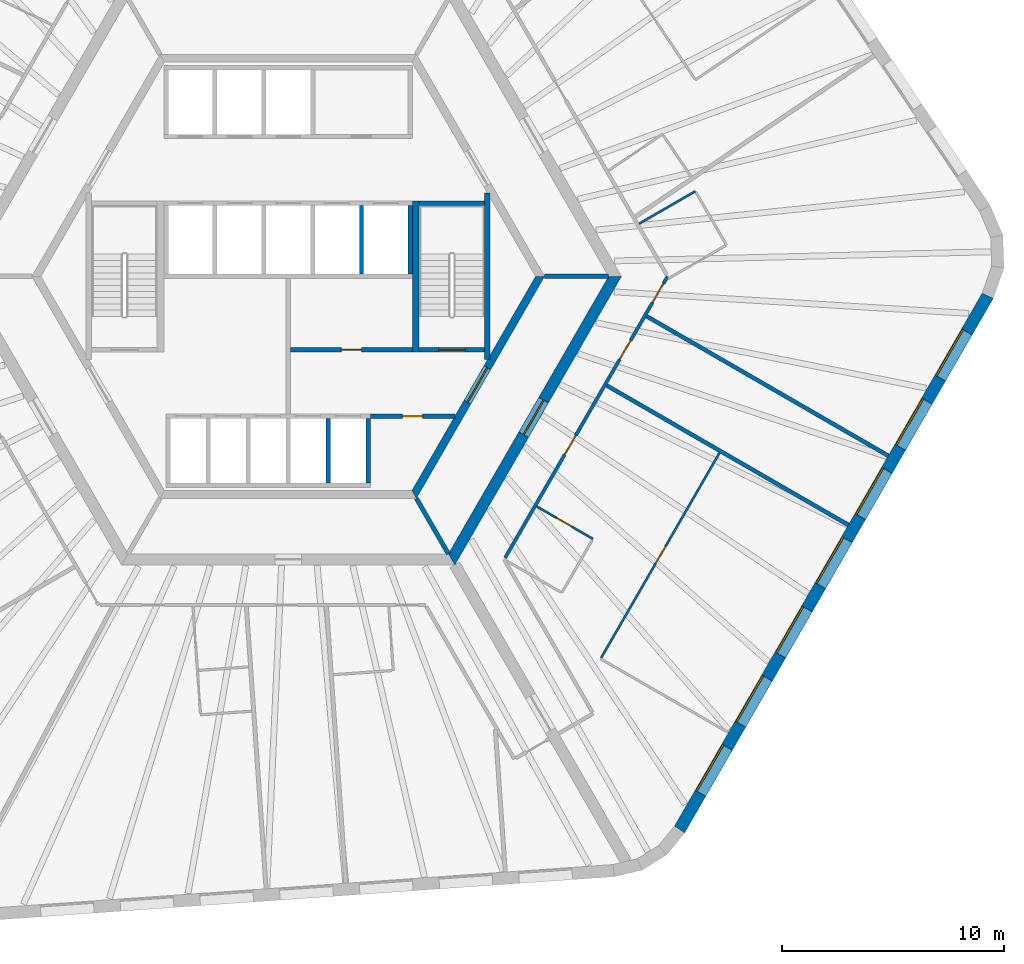
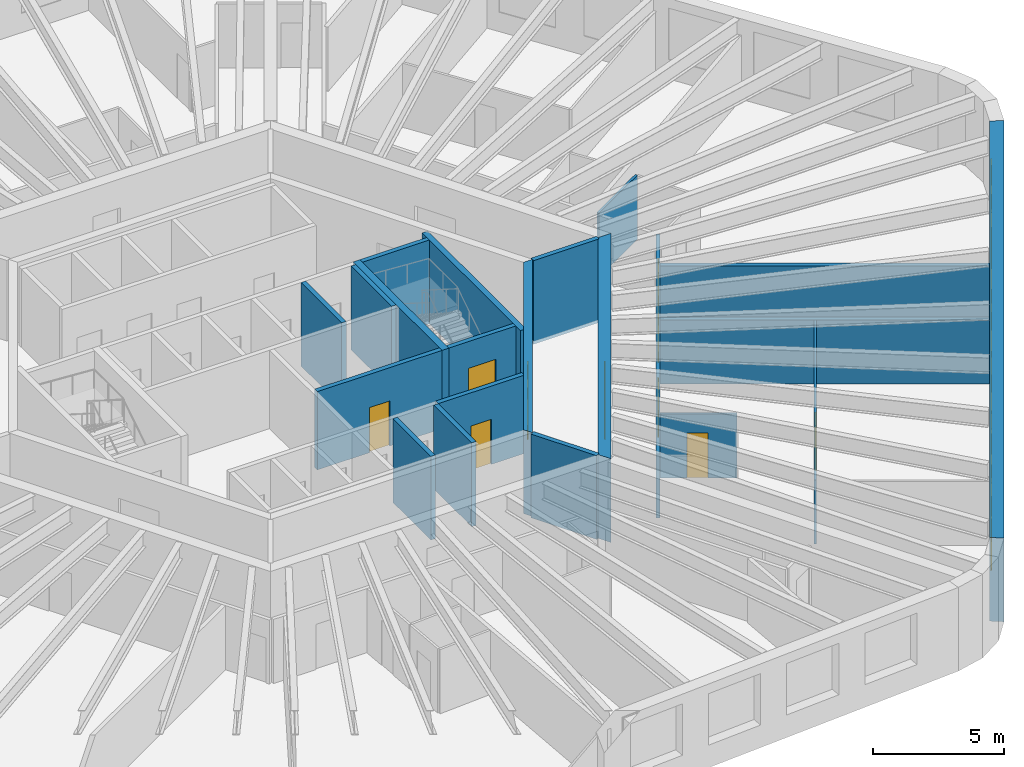
# One storey, part 5 of 9: 21 walls, 10 doors, 7 windows, 17 openings.
"""IFC4 building model written with IfcOpenShell, lengths in metres."""

from ifc_helpers import new_model, si_unit, direction, frame, frame_2d, origin, place, context, subcontext, project, spatial, polyline, rectangle, outline, extrude, material, layer, layer_set, type_object, element, fill, save


model = new_model("IFC4")

# Units and contexts
model_context = context("Model", 3, precision=1e-05, world=origin(), true_north=direction((0.0, 1.0)))
body_context = subcontext(model_context, "Body", "Model", "MODEL_VIEW")
ifc_project = project(units=[si_unit("LENGTHUNIT", "METRE"), si_unit("AREAUNIT", "SQUARE_METRE"), si_unit("VOLUMEUNIT", "CUBIC_METRE"), si_unit("PLANEANGLEUNIT", "RADIAN"), si_unit("MASSUNIT", "GRAM", prefix="KILO")], contexts=[model_context])

# Site, building, storey
site_placement = place(None, origin())
site = spatial("IfcSite", under=ifc_project, at=site_placement, CompositionType="ELEMENT")
building_placement = place(site_placement, origin())
building = spatial("IfcBuilding", under=site, at=building_placement, Name="Tarnside Tower", CompositionType="ELEMENT")
storey_placement = place(building_placement, frame((0.0, 0.0, 219.0)))
storey = spatial("IfcBuildingStorey", under=building, at=storey_placement, Name="L52", CompositionType="ELEMENT", Elevation=219.0)

# Wall, opening, door
ifc_material_1 = material(Name="Gypsum board partition on steel studs", Category="steel")
ifc_layer_1 = layer(ifc_material_1, 0.10009765625)
ifc_layer_set_1 = layer_set([ifc_layer_1], Name="Bathroom wall 100")
wall_type_1 = type_object("IfcWallType", Name="Bathroom wall 100", PredefinedType="PARTITIONING", material=ifc_layer_set_1)
wall_1_placement = place(storey_placement, frame((11.193359375, -10.362548828125, 0.0), z_axis=(0.0, 0.0, 1.0), x_axis=(0.865989585315, -0.500062034277, 0.0)))
wall_1 = element("IfcWall", 1, at=wall_1_placement, inside=storey, type_object=wall_type_1, Name="Bathroom wall 17081", PredefinedType="PARTITIONING", context=body_context, shape_type="SweptSolid", body=[
    extrude(rectangle(XDim=2.925048828125, YDim=0.10009765625, at=frame_2d((1.46240234375, 0.0))), origin(), (0.0, 0.0, 1.0), 2.98779296875),
])
opening_1_placement = place(wall_1_placement, frame((1.02490234375, 0.0, 0.0)))
opening_1 = element("IfcOpeningElement", 2, at=opening_1_placement, cuts=wall_1, Name="Opening D-B1", PredefinedType="OPENING", context=body_context, shape_type="SweptSolid", body=[
    extrude(rectangle(XDim=0.800048828125, YDim=2.10009765625, at=frame_2d((0.39990234375, 1.050048828125))), frame((0.0, 0.06005859375, 0.0), z_axis=(0.0, -1.0, 0.0), x_axis=(1.0, 0.0, 0.0)), (0.0, 0.0, 1.0), 0.1201171875),
])
ifc_material_2 = material(Name="Timber door leaf", Category="wood")
door_type_1 = type_object("IfcDoorType", Name="Bathroom door 800", OperationType="NOTDEFINED", PredefinedType="DOOR", material=ifc_material_2)
door_1_placement = place(opening_1_placement, origin())
door_1 = element("IfcDoor", 3, at=door_1_placement, inside=storey, type_object=door_type_1, Name="Bathroom door 17024", OperationType="SINGLE_SWING_RIGHT", OverallHeight=2.10009765625, OverallWidth=0.800048828125, PredefinedType="DOOR", context=body_context, shape_type="SweptSolid", body=[
    extrude(rectangle(XDim=0.800048828125, YDim=2.10009765625, at=frame_2d((0.39990234375, 1.050048828125))), frame((0.0, 0.02490234375, 0.0), z_axis=(0.0, -1.0, 0.0), x_axis=(1.0, 0.0, 0.0)), (0.0, 0.0, 1.0), 0.050048828125),
])
fill(opening_1, door_1)

# Wall
wall_2_placement = place(storey_placement, frame((15.806640625, 2.3720703125, 0.0), z_axis=(0.0, 0.0, 1.0), x_axis=(0.86601045545, 0.500025890382, 0.0)))
element("IfcWall", 4, at=wall_2_placement, inside=storey, type_object=wall_type_1, Name="Bathroom wall 17089", PredefinedType="PARTITIONING", context=body_context, shape_type="SweptSolid", body=[
    extrude(rectangle(XDim=2.925048828125, YDim=0.10009765625, at=frame_2d((1.46240234375, 0.0))), origin(), (0.0, 0.0, 1.0), 2.98779296875),
])

# Wall, opening, door
ifc_material_3 = material(Name="Concrete C50/60", Category="concrete")
ifc_layer_2 = layer(ifc_material_3, 0.35009765625)
ifc_layer_set_2 = layer_set([ifc_layer_2], Name="Core block wall 350 C50/60")
wall_type_2 = type_object("IfcWallType", Name="Core block wall 350 C50/60", PredefinedType="SHEAR", material=ifc_layer_set_2)
wall_3_placement = place(storey_placement, frame((5.672607421875, -9.824951171875, -0.14990234375), z_axis=(0.0, 0.0, 1.0), x_axis=(0.499995046907, 0.866028263435, 0.0)))
wall_3 = element("IfcWall", 5, at=wall_3_placement, inside=storey, type_object=wall_type_2, Name="L52 core block wall face 5", PredefinedType="SHEAR", context=body_context, shape_type="SweptSolid", body=[
    extrude(outline(polyline([(-0.10107421875, -0.175048828125), (11.44580078125, -0.175048828125), (11.24365234375, 0.175048828125), (0.10107421875, 0.175048828125), (-0.10107421875, -0.175048828125)])), origin(), (0.0, 0.0, 1.0), 3.89990234375),
])
opening_2_placement = place(wall_3_placement, frame((4.80126953125, 0.0, 0.14990234375)))
opening_2 = element("IfcOpeningElement", 6, at=opening_2_placement, cuts=wall_3, Name="Opening CD-FFL", PredefinedType="OPENING", context=body_context, shape_type="SweptSolid", body=[
    extrude(rectangle(XDim=1.800048828125, YDim=2.39990234375, at=frame_2d((0.89990234375, 1.199951171875))), frame((0.0, 0.18505859375, 0.0), z_axis=(0.0, -1.0, 0.0), x_axis=(1.0, 0.0, 0.0)), (0.0, 0.0, 1.0), 0.3701171875),
])
ifc_material_4 = material(Name="Steel fire door", Category="steel")
door_type_2 = type_object("IfcDoorType", Name="Firefighting lobby double door FD60S 1800x2400", OperationType="NOTDEFINED", PredefinedType="DOOR", material=ifc_material_4)
door_2_placement = place(opening_2_placement, origin())
door_2 = element("IfcDoor", 7, at=door_2_placement, inside=storey, type_object=door_type_2, Name="L52 lobby block door P4", OperationType="DOUBLE_DOOR_SINGLE_SWING", OverallHeight=2.39990234375, OverallWidth=1.800048828125, PredefinedType="DOOR", context=body_context, shape_type="SweptSolid", body=[
    extrude(rectangle(XDim=1.800048828125, YDim=2.39990234375, at=frame_2d((0.89990234375, 1.199951171875))), frame((0.0, 0.02490234375, 0.0), z_axis=(0.0, -1.0, 0.0), x_axis=(1.0, 0.0, 0.0)), (0.0, 0.0, 1.0), 0.050048828125),
])
fill(opening_2, door_2)

ifc_material_5 = material(Name="Concrete C40/50", Category="concrete")
ifc_layer_3 = layer(ifc_material_5, 0.199951171875)
ifc_layer_set_3 = layer_set([ifc_layer_3], Name="Core room partition 200 C40/50")
wall_type_3 = type_object("IfcWallType", Name="Core room partition 200 C40/50", PredefinedType="PARTITIONING", material=ifc_layer_set_3)
wall_4_placement = place(storey_placement, frame((0.10009765625, -3.300048828125, 0.0), z_axis=(0.0, 0.0, 1.0), x_axis=(1.0, 0.0, 0.0)))
wall_4 = element("IfcWall", 8, at=wall_4_placement, inside=storey, type_object=wall_type_3, Name="L52 core partition R3S1", PredefinedType="PARTITIONING", context=body_context, shape_type="SweptSolid", body=[
    extrude(rectangle(XDim=5.5, YDim=0.199951171875, at=frame_2d((2.75, 0.0))), origin(), (0.0, 0.0, 1.0), 3.64990234375),
])
opening_3_placement = place(wall_4_placement, frame((2.300048828125, 0.0, 0.0)))
opening_3 = element("IfcOpeningElement", 9, at=opening_3_placement, cuts=wall_4, Name="Opening CD-room", PredefinedType="OPENING", context=body_context, shape_type="SweptSolid", body=[
    extrude(rectangle(XDim=0.89990234375, YDim=2.10009765625, at=frame_2d((0.449951171875, 1.050048828125))), frame((0.0, 0.10986328125, 0.0), z_axis=(0.0, -1.0, 0.0), x_axis=(1.0, 0.0, 0.0)), (0.0, 0.0, 1.0), 0.219970703125),
])
door_type_3 = type_object("IfcDoorType", Name="Room door FD60 900x2100", OperationType="NOTDEFINED", PredefinedType="DOOR", material=ifc_material_4)
door_3_placement = place(opening_3_placement, origin())
door_3 = element("IfcDoor", 10, at=door_3_placement, inside=storey, type_object=door_type_3, Name="L52 core room door SR1", OperationType="SINGLE_SWING_LEFT", OverallHeight=2.10009765625, OverallWidth=0.89990234375, PredefinedType="DOOR", context=body_context, shape_type="SweptSolid", body=[
    extrude(rectangle(XDim=0.89990234375, YDim=2.10009765625, at=frame_2d((0.449951171875, 1.050048828125))), frame((0.0, 0.02490234375, 0.0), z_axis=(0.0, -1.0, 0.0), x_axis=(1.0, 0.0, 0.0)), (0.0, 0.0, 1.0), 0.050048828125),
])
fill(opening_3, door_3)

wall_5_placement = place(storey_placement, frame((3.699951171875, -6.300048828125, 0.0), z_axis=(0.0, 0.0, 1.0), x_axis=(1.0, 0.0, 0.0)))
wall_5 = element("IfcWall", 11, at=wall_5_placement, inside=storey, type_object=wall_type_3, Name="L52 core partition R4X", PredefinedType="PARTITIONING", context=body_context, shape_type="SweptSolid", body=[
    extrude(rectangle(XDim=3.8056640625, YDim=0.199951171875, at=frame_2d((1.90283203125, 0.0))), origin(), (0.0, 0.0, 1.0), 3.64990234375),
])
opening_4_placement = place(wall_5_placement, frame((1.452880859375, 0.0, 0.0)))
opening_4 = element("IfcOpeningElement", 12, at=opening_4_placement, cuts=wall_5, Name="Opening CD-room", PredefinedType="OPENING", context=body_context, shape_type="SweptSolid", body=[
    extrude(rectangle(XDim=0.89990234375, YDim=2.10009765625, at=frame_2d((0.449951171875, 1.050048828125))), frame((0.0, 0.10986328125, 0.0), z_axis=(0.0, -1.0, 0.0), x_axis=(1.0, 0.0, 0.0)), (0.0, 0.0, 1.0), 0.219970703125),
])
door_4_placement = place(opening_4_placement, origin())
door_4 = element("IfcDoor", 13, at=door_4_placement, inside=storey, type_object=door_type_3, Name="L52 core room door RX", OperationType="SINGLE_SWING_LEFT", OverallHeight=2.10009765625, OverallWidth=0.89990234375, PredefinedType="DOOR", context=body_context, shape_type="SweptSolid", body=[
    extrude(rectangle(XDim=0.89990234375, YDim=2.10009765625, at=frame_2d((0.449951171875, 1.050048828125))), frame((0.0, 0.02490234375, 0.0), z_axis=(0.0, -1.0, 0.0), x_axis=(1.0, 0.0, 0.0)), (0.0, 0.0, 1.0), 0.050048828125),
])
fill(opening_4, door_4)

ifc_material_6 = material(Name="Concrete C70/85", Category="concrete")
ifc_layer_4 = layer(ifc_material_6, 0.5)
ifc_layer_set_4 = layer_set([ifc_layer_4], Name="Core wall Z2 500 C70/85")
wall_type_4 = type_object("IfcWallType", Name="Core wall Z2 500 C70/85", PredefinedType="SHEAR", material=ifc_layer_set_4)
wall_6_placement = place(storey_placement, frame((7.361083984375, -12.75, -0.14990234375), z_axis=(0.0, 0.0, 1.0), x_axis=(0.50000571537, 0.866022103989, 0.0)))
wall_6 = element("IfcWall", 14, at=wall_6_placement, inside=storey, type_object=wall_type_4, Name="L52 core wall face 5", PredefinedType="SHEAR", context=body_context, shape_type="SweptSolid", body=[
    extrude(outline(polyline([(-0.144287109375, -0.25), (14.86669921875, -0.25), (14.578125, 0.25), (0.144287109375, 0.25), (-0.144287109375, -0.25)])), origin(), (0.0, 0.0, 1.0), 3.89990234375),
])
opening_5_placement = place(wall_6_placement, frame((6.489990234375, 0.0, 0.14990234375)))
opening_5 = element("IfcOpeningElement", 15, at=opening_5_placement, cuts=wall_6, Name="Opening CD-FFL", PredefinedType="OPENING", context=body_context, shape_type="SweptSolid", body=[
    extrude(rectangle(XDim=1.800048828125, YDim=2.39990234375, at=frame_2d((0.89990234375, 1.199951171875))), frame((0.0, 0.260009765625, 0.0), z_axis=(0.0, -1.0, 0.0), x_axis=(1.0, 0.0, 0.0)), (0.0, 0.0, 1.0), 0.52001953125),
])
door_5_placement = place(opening_5_placement, origin())
door_5 = element("IfcDoor", 16, at=door_5_placement, inside=storey, type_object=door_type_2, Name="L52 core door P4", OperationType="DOUBLE_DOOR_SINGLE_SWING", OverallHeight=2.39990234375, OverallWidth=1.800048828125, PredefinedType="DOOR", context=body_context, shape_type="SweptSolid", body=[
    extrude(rectangle(XDim=1.800048828125, YDim=2.39990234375, at=frame_2d((0.89990234375, 1.199951171875))), frame((0.0, 0.02490234375, 0.0), z_axis=(0.0, -1.0, 0.0), x_axis=(1.0, 0.0, 0.0)), (0.0, 0.0, 1.0), 0.050048828125),
])
fill(opening_5, door_5)

# Wall, openings, doors
ifc_layer_5 = layer(ifc_material_1, 0.14990234375)
ifc_layer_set_5 = layer_set([ifc_layer_5], Name="Corridor wall 150 EI 60")
wall_type_5 = type_object("IfcWallType", Name="Corridor wall 150 EI 60", PredefinedType="PARTITIONING", material=ifc_layer_set_5)
wall_7_placement = place(storey_placement, frame((9.771728515625, -12.675048828125, 0.0), z_axis=(0.0, 0.0, 1.0), x_axis=(0.499996322767, 0.866027526826, 0.0)))
wall_7 = element("IfcWall", 17, at=wall_7_placement, inside=storey, type_object=wall_type_5, Name="Corridor wall 17033", PredefinedType="PARTITIONING", context=body_context, shape_type="SweptSolid", body=[
    extrude(rectangle(XDim=14.6357421875, YDim=0.14990234375, at=frame_2d((7.31787109375, 0.0))), origin(), (0.0, 0.0, 1.0), 2.98779296875),
])
opening_6_placement = place(wall_7_placement, frame((5.361083984375, 0.0, 0.0)))
opening_6 = element("IfcOpeningElement", 18, at=opening_6_placement, cuts=wall_7, Name="Opening D-E1", PredefinedType="OPENING", context=body_context, shape_type="SweptSolid", body=[
    extrude(rectangle(XDim=1.0, YDim=2.10009765625, at=frame_2d((0.5, 1.050048828125))), frame((0.0, 0.0849609375, 0.0), z_axis=(0.0, -1.0, 0.0), x_axis=(1.0, 0.0, 0.0)), (0.0, 0.0, 1.0), 0.169921875),
])
opening_7_placement = place(wall_7_placement, frame((10.308837890625, 0.0, 0.0)))
opening_7 = element("IfcOpeningElement", 19, at=opening_7_placement, cuts=wall_7, Name="Opening D-E1", PredefinedType="OPENING", context=body_context, shape_type="SweptSolid", body=[
    extrude(rectangle(XDim=1.0, YDim=2.10009765625, at=frame_2d((0.5, 1.050048828125))), frame((0.0, 0.0849609375, 0.0), z_axis=(0.0, -1.0, 0.0), x_axis=(1.0, 0.0, 0.0)), (0.0, 0.0, 1.0), 0.169921875),
])
opening_8_placement = place(wall_7_placement, frame((13.277587890625, 0.0, 0.0)))
opening_8 = element("IfcOpeningElement", 20, at=opening_8_placement, cuts=wall_7, Name="Opening D-E1", PredefinedType="OPENING", context=body_context, shape_type="SweptSolid", body=[
    extrude(rectangle(XDim=1.0, YDim=2.10009765625, at=frame_2d((0.5, 1.050048828125))), frame((0.0, 0.0849609375, 0.0), z_axis=(0.0, -1.0, 0.0), x_axis=(1.0, 0.0, 0.0)), (0.0, 0.0, 1.0), 0.169921875),
])
door_type_4 = type_object("IfcDoorType", Name="Unit entrance door 1000 FD30S", OperationType="NOTDEFINED", PredefinedType="DOOR", material=ifc_material_2)
door_6_placement = place(opening_6_placement, origin())
door_6 = element("IfcDoor", 21, at=door_6_placement, inside=storey, type_object=door_type_4, Name="Unit door 17023", OperationType="SINGLE_SWING_LEFT", OverallHeight=2.10009765625, OverallWidth=1.0, PredefinedType="DOOR", context=body_context, shape_type="SweptSolid", body=[
    extrude(rectangle(XDim=1.0, YDim=2.10009765625, at=frame_2d((0.5, 1.050048828125))), frame((0.0, 0.02490234375, 0.0), z_axis=(0.0, -1.0, 0.0), x_axis=(1.0, 0.0, 0.0)), (0.0, 0.0, 1.0), 0.050048828125),
])
fill(opening_6, door_6)
door_7_placement = place(opening_7_placement, origin())
door_7 = element("IfcDoor", 22, at=door_7_placement, inside=storey, type_object=door_type_4, Name="Unit door 17026", OperationType="SINGLE_SWING_LEFT", OverallHeight=2.10009765625, OverallWidth=1.0, PredefinedType="DOOR", context=body_context, shape_type="SweptSolid", body=[
    extrude(rectangle(XDim=1.0, YDim=2.10009765625, at=frame_2d((0.5, 1.050048828125))), frame((0.0, 0.02490234375, 0.0), z_axis=(0.0, -1.0, 0.0), x_axis=(1.0, 0.0, 0.0)), (0.0, 0.0, 1.0), 0.050048828125),
])
fill(opening_7, door_7)
door_8_placement = place(opening_8_placement, origin())
door_8 = element("IfcDoor", 23, at=door_8_placement, inside=storey, type_object=door_type_4, Name="Unit door 17027", OperationType="SINGLE_SWING_LEFT", OverallHeight=2.10009765625, OverallWidth=1.0, PredefinedType="DOOR", context=body_context, shape_type="SweptSolid", body=[
    extrude(rectangle(XDim=1.0, YDim=2.10009765625, at=frame_2d((0.5, 1.050048828125))), frame((0.0, 0.02490234375, 0.0), z_axis=(0.0, -1.0, 0.0), x_axis=(1.0, 0.0, 0.0)), (0.0, 0.0, 1.0), 0.050048828125),
])
fill(opening_8, door_8)

# Walls
ifc_layer_6 = layer(ifc_material_1, 0.179931640625)
ifc_layer_set_6 = layer_set([ifc_layer_6], Name="Demising wall 180 EI 60")
wall_type_6 = type_object("IfcWallType", Name="Demising wall 180 EI 60", PredefinedType="PARTITIONING", material=ifc_layer_set_6)
wall_8_placement = place(storey_placement, frame((25.2314453125, -11.197998046875, 0.0), z_axis=(0.0, 0.0, 1.0), x_axis=(-0.866032662629, 0.499987427101, 0.0)))
element("IfcWall", 24, at=wall_8_placement, inside=storey, type_object=wall_type_6, Name="Demising wall 17086", PredefinedType="PARTITIONING", context=body_context, shape_type="SweptSolid", body=[
    extrude(rectangle(XDim=12.574951171875, YDim=0.179931640625, at=frame_2d((6.28759765625, 0.0))), origin(), (0.0, 0.0, 1.0), 2.98779296875),
])
wall_9_placement = place(storey_placement, frame((27.03125, -8.080322265625, 0.0), z_axis=(0.0, 0.0, 1.0), x_axis=(-0.86602780907, 0.499995833901, 0.0)))
element("IfcWall", 25, at=wall_9_placement, inside=storey, type_object=wall_type_6, Name="Demising wall 17088", PredefinedType="PARTITIONING", context=body_context, shape_type="SweptSolid", body=[
    extrude(rectangle(XDim=12.57470703125, YDim=0.179931640625, at=frame_2d((6.287353515625, 0.0))), origin(), (0.0, 0.0, 1.0), 2.98779296875),
])
ifc_layer_7 = layer(ifc_material_5, 0.199951171875)
ifc_layer_set_7 = layer_set([ifc_layer_7], Name="Lift shaft wall 200 C40/50")
wall_type_7 = type_object("IfcWallType", Name="Lift shaft wall 200 C40/50", PredefinedType="SHEAR", material=ifc_layer_set_7)
for number, where, z_axis, x_axis, name in (
    (26, (3.300048828125, 0.10009765625, -0.25), (0.0, 0.0, 1.0), (0.0, 1.0, 0.0), "L52 lift shaft partition R25"),
    (27, (5.5, 0.10009765625, -0.25), (0.0, 0.0, 1.0), (0.0, 1.0, 0.0), "L52 lift shaft partition R26"),
):
    element("IfcWall", number, at=place(storey_placement, frame(where, z_axis=z_axis, x_axis=x_axis)), inside=storey, type_object=wall_type_7, Name=name, PredefinedType="SHEAR", context=body_context, shape_type="SweptSolid", body=[
        extrude(rectangle(XDim=3.099853515625, YDim=0.199951171875, at=frame_2d((1.5498046875, 0.0))), origin(), (0.0, 0.0, 1.0), 3.89990234375),
    ])
for number, where, z_axis, x_axis, name in (
    (28, (1.800048828125, -9.300048828125, -0.25), (0.0, 0.0, 1.0), (0.0, 1.0, 0.0), "L52 lift shaft partition R45"),
    (29, (3.60009765625, -9.300048828125, -0.25), (0.0, 0.0, 1.0), (0.0, 1.0, 0.0), "L52 lift shaft partition R46"),
):
    element("IfcWall", number, at=place(storey_placement, frame(where, z_axis=z_axis, x_axis=x_axis)), inside=storey, type_object=wall_type_7, Name=name, PredefinedType="SHEAR", context=body_context, shape_type="SweptSolid", body=[
        extrude(rectangle(XDim=2.900146484375, YDim=0.199951171875, at=frame_2d((1.4501953125, 0.0))), origin(), (0.0, 0.0, 1.0), 3.89990234375),
    ])
for number, where, z_axis, x_axis, name in (
    (30, (11.547119140625, 0.0, -0.14990234375), (0.0, 0.0, 1.0), (1.0, 0.0, 0.0), "L52 core partition AR0"),
    (31, (5.7734375, -10.0, -0.14990234375), (0.0, 0.0, 1.0), (0.499995765644, -0.866027848477, 0.0), "L52 core partition AR300"),
):
    element("IfcWall", number, at=place(storey_placement, frame(where, z_axis=z_axis, x_axis=x_axis)), inside=storey, type_object=wall_type_7, Name=name, PredefinedType="SHEAR", context=body_context, shape_type="SweptSolid", body=[
        extrude(rectangle(XDim=2.88671875, YDim=0.199951171875, at=frame_2d((1.443359375, 0.0))), origin(), (0.0, 0.0, 1.0), 3.89990234375),
    ])
wall_10_placement = place(storey_placement, frame((5.89990234375, 3.300048828125, -0.25), z_axis=(0.0, 0.0, 1.0), x_axis=(1.0, 0.0, 0.0)))
element("IfcWall", 32, at=wall_10_placement, inside=storey, type_object=wall_type_7, Name="L52 stair 1 enclosure cap wall n", PredefinedType="SHEAR", context=body_context, shape_type="SweptSolid", body=[
    extrude(rectangle(XDim=2.9501953125, YDim=0.199951171875, at=frame_2d((1.47509765625, 0.0))), origin(), (0.0, 0.0, 1.0), 3.89990234375),
])

# Wall, opening, door
wall_11_placement = place(storey_placement, frame((5.89990234375, -3.300048828125, -0.25), z_axis=(0.0, 0.0, 1.0), x_axis=(1.0, 0.0, 0.0)))
wall_11 = element("IfcWall", 33, at=wall_11_placement, inside=storey, type_object=wall_type_7, Name="L52 stair 1 enclosure cap wall s", PredefinedType="SHEAR", context=body_context, shape_type="SweptSolid", body=[
    extrude(rectangle(XDim=2.9501953125, YDim=0.199951171875, at=frame_2d((1.47509765625, 0.0))), origin(), (0.0, 0.0, 1.0), 3.89990234375),
])
opening_9_placement = place(wall_11_placement, frame((0.875, 0.0, 0.25)))
opening_9 = element("IfcOpeningElement", 34, at=opening_9_placement, cuts=wall_11, Name="Opening CD-STR", PredefinedType="OPENING", context=body_context, shape_type="SweptSolid", body=[
    extrude(rectangle(XDim=1.199951171875, YDim=2.39990234375, at=frame_2d((0.60009765625, 1.199951171875))), frame((0.0, 0.10986328125, 0.0), z_axis=(0.0, -1.0, 0.0), x_axis=(1.0, 0.0, 0.0)), (0.0, 0.0, 1.0), 0.219970703125),
])
door_type_5 = type_object("IfcDoorType", Name="Stair door FD60S 1200x2400", OperationType="NOTDEFINED", PredefinedType="DOOR", material=ifc_material_4)
door_9_placement = place(opening_9_placement, origin())
door_9 = element("IfcDoor", 35, at=door_9_placement, inside=storey, type_object=door_type_5, Name="L52 stair 1 door", OperationType="SINGLE_SWING_LEFT", OverallHeight=2.39990234375, OverallWidth=1.199951171875, PredefinedType="DOOR", context=body_context, shape_type="SweptSolid", body=[
    extrude(rectangle(XDim=1.199951171875, YDim=2.39990234375, at=frame_2d((0.60009765625, 1.199951171875))), frame((0.0, 0.02490234375, 0.0), z_axis=(0.0, -1.0, 0.0), x_axis=(1.0, 0.0, 0.0)), (0.0, 0.0, 1.0), 0.050048828125),
])
fill(opening_9, door_9)

ifc_layer_8 = layer(ifc_material_1, 0.10009765625)
ifc_layer_set_8 = layer_set([ifc_layer_8], Name="Partition 100")
wall_type_8 = type_object("IfcWallType", Name="Partition 100", PredefinedType="PARTITIONING", material=ifc_layer_set_8)
wall_12_placement = place(storey_placement, frame((14.09716796875, -17.182861328125, 0.0), z_axis=(0.0, 0.0, 1.0), x_axis=(0.500001321243, 0.866024640963, 0.0)))
wall_12 = element("IfcWall", 36, at=wall_12_placement, inside=storey, type_object=wall_type_8, Name="Partition wall 17085", PredefinedType="PARTITIONING", context=body_context, shape_type="SweptSolid", body=[
    extrude(rectangle(XDim=10.66015625, YDim=0.10009765625, at=frame_2d((5.330078125, 0.0))), origin(), (0.0, 0.0, 1.0), 2.98779296875),
])
opening_10_placement = place(wall_12_placement, frame((4.89990234375, 0.0, 0.0)))
opening_10 = element("IfcOpeningElement", 37, at=opening_10_placement, cuts=wall_12, Name="Opening D-I1", PredefinedType="OPENING", context=body_context, shape_type="SweptSolid", body=[
    extrude(rectangle(XDim=0.89990234375, YDim=2.10009765625, at=frame_2d((0.449951171875, 1.050048828125))), frame((0.0, 0.06005859375, 0.0), z_axis=(0.0, -1.0, 0.0), x_axis=(1.0, 0.0, 0.0)), (0.0, 0.0, 1.0), 0.1201171875),
])
door_type_6 = type_object("IfcDoorType", Name="Internal door 900", OperationType="NOTDEFINED", PredefinedType="DOOR", material=ifc_material_2)
door_10_placement = place(opening_10_placement, origin())
door_10 = element("IfcDoor", 38, at=door_10_placement, inside=storey, type_object=door_type_6, Name="Internal door 17025", OperationType="SINGLE_SWING_LEFT", OverallHeight=2.10009765625, OverallWidth=0.89990234375, PredefinedType="DOOR", context=body_context, shape_type="SweptSolid", body=[
    extrude(rectangle(XDim=0.89990234375, YDim=2.10009765625, at=frame_2d((0.449951171875, 1.050048828125))), frame((0.0, 0.02490234375, 0.0), z_axis=(0.0, -1.0, 0.0), x_axis=(1.0, 0.0, 0.0)), (0.0, 0.0, 1.0), 0.050048828125),
])
fill(opening_10, door_10)

# Walls
ifc_layer_9 = layer(ifc_material_5, 0.25)
ifc_layer_set_9 = layer_set([ifc_layer_9], Name="Stair enclosure wall 250 C40/50")
wall_type_9 = type_object("IfcWallType", Name="Stair enclosure wall 250 C40/50", PredefinedType="SHEAR", material=ifc_layer_set_9)
wall_13_placement = place(storey_placement, frame((8.97509765625, -3.7548828125, -0.25), z_axis=(0.0, 0.0, 1.0), x_axis=(0.0, 1.0, 0.0)))
element("IfcWall", 39, at=wall_13_placement, inside=storey, type_object=wall_type_9, Name="L52 stair 1 enclosure wall outer", PredefinedType="SHEAR", context=body_context, shape_type="SweptSolid", body=[
    extrude(rectangle(XDim=7.509765625, YDim=0.25, at=frame_2d((3.7548828125, 0.0))), origin(), (0.0, 0.0, 1.0), 3.89990234375),
])
ifc_layer_10 = layer(ifc_material_5, 0.300048828125)
ifc_layer_set_10 = layer_set([ifc_layer_10], Name="Stair enclosure wall 300 C40/50")
wall_type_10 = type_object("IfcWallType", Name="Stair enclosure wall 300 C40/50", PredefinedType="SHEAR", material=ifc_layer_set_10)
wall_14_placement = place(storey_placement, frame((5.75, -3.39990234375, -0.25), z_axis=(0.0, 0.0, 1.0), x_axis=(0.0, 1.0, 0.0)))
element("IfcWall", 40, at=wall_14_placement, inside=storey, type_object=wall_type_10, Name="L52 stair 1 enclosure wall inner", PredefinedType="SHEAR", context=body_context, shape_type="SweptSolid", body=[
    extrude(rectangle(XDim=6.7998046875, YDim=0.300048828125, at=frame_2d((3.39990234375, 0.0))), origin(), (0.0, 0.0, 1.0), 3.89990234375),
])

# Wall, openings, windows
ifc_material_7 = material(Name="Facing brick", Category="masonry")
ifc_layer_11 = layer(ifc_material_7, 0.10205078125)
ifc_material_8 = material(Name="Concrete C60/75 precast", Category="concrete")
ifc_layer_12 = layer(ifc_material_8, 0.347900390625)
ifc_material_9 = material(Name="Mineral wool insulation")
ifc_layer_13 = layer(ifc_material_9, 0.10009765625)
ifc_layer_set_11 = layer_set([ifc_layer_11, ifc_layer_12, ifc_layer_13], Name="Tube wall 550 brick faced")
wall_type_11 = type_object("IfcWallType", Name="Tube wall 550 brick faced", PredefinedType="SOLIDWALL", material=ifc_layer_set_11)
wall_15_placement = place(storey_placement, frame((17.630126953125, -24.913818359375, -0.14990234375), z_axis=(0.0, 0.0, 1.0), x_axis=(0.499998569178, 0.866026229868, 0.0)))
wall_15 = element("IfcWall", 41, at=wall_15_placement, inside=storey, type_object=wall_type_11, Name="Tube wall L52 F5 flush 16", PredefinedType="SOLIDWALL", context=body_context, shape_type="SweptSolid", body=[
    extrude(outline(polyline([(-0.0224609375, -0.27490234375), (27.783447265625, -0.27490234375), (27.732177734375, 0.27490234375), (0.0224609375, 0.27490234375), (-0.0224609375, -0.27490234375)])), origin(), (0.0, 0.0, 1.0), 3.89990234375),
])
opening_11_placement = place(wall_15_placement, frame((1.87890625, 0.0, 1.050048828125)))
opening_11 = element("IfcOpeningElement", 42, at=opening_11_placement, cuts=wall_15, Name="Opening WH", PredefinedType="OPENING", context=body_context, shape_type="SweptSolid", body=[
    extrude(rectangle(XDim=2.39990234375, YDim=2.39990234375, at=frame_2d((1.199951171875, 1.199951171875))), frame((0.0, 0.28515625, 0.0), z_axis=(0.0, -1.0, 0.0), x_axis=(1.0, 0.0, 0.0)), (0.0, 0.0, 1.0), 0.570068359375),
])
opening_12_placement = place(wall_15_placement, frame((5.47900390625, 0.0, 1.050048828125)))
opening_12 = element("IfcOpeningElement", 43, at=opening_12_placement, cuts=wall_15, Name="Opening WH", PredefinedType="OPENING", context=body_context, shape_type="SweptSolid", body=[
    extrude(rectangle(XDim=2.39990234375, YDim=2.39990234375, at=frame_2d((1.199951171875, 1.199951171875))), frame((0.0, 0.28515625, 0.0), z_axis=(0.0, -1.0, 0.0), x_axis=(1.0, 0.0, 0.0)), (0.0, 0.0, 1.0), 0.570068359375),
])
opening_13_placement = place(wall_15_placement, frame((9.078857421875, 0.0, 1.050048828125)))
opening_13 = element("IfcOpeningElement", 44, at=opening_13_placement, cuts=wall_15, Name="Opening WH", PredefinedType="OPENING", context=body_context, shape_type="SweptSolid", body=[
    extrude(rectangle(XDim=2.39990234375, YDim=2.39990234375, at=frame_2d((1.199951171875, 1.199951171875))), frame((0.0, 0.28515625, 0.0), z_axis=(0.0, -1.0, 0.0), x_axis=(1.0, 0.0, 0.0)), (0.0, 0.0, 1.0), 0.570068359375),
])
opening_14_placement = place(wall_15_placement, frame((12.678955078125, 0.0, 1.050048828125)))
opening_14 = element("IfcOpeningElement", 45, at=opening_14_placement, cuts=wall_15, Name="Opening WH", PredefinedType="OPENING", context=body_context, shape_type="SweptSolid", body=[
    extrude(rectangle(XDim=2.39990234375, YDim=2.39990234375, at=frame_2d((1.199951171875, 1.199951171875))), frame((0.0, 0.28515625, 0.0), z_axis=(0.0, -1.0, 0.0), x_axis=(1.0, 0.0, 0.0)), (0.0, 0.0, 1.0), 0.570068359375),
])
opening_15_placement = place(wall_15_placement, frame((16.27880859375, 0.0, 1.050048828125)))
opening_15 = element("IfcOpeningElement", 46, at=opening_15_placement, cuts=wall_15, Name="Opening WH", PredefinedType="OPENING", context=body_context, shape_type="SweptSolid", body=[
    extrude(rectangle(XDim=2.39990234375, YDim=2.39990234375, at=frame_2d((1.199951171875, 1.199951171875))), frame((0.0, 0.28515625, 0.0), z_axis=(0.0, -1.0, 0.0), x_axis=(1.0, 0.0, 0.0)), (0.0, 0.0, 1.0), 0.570068359375),
])
opening_16_placement = place(wall_15_placement, frame((19.87890625, 0.0, 1.050048828125)))
opening_16 = element("IfcOpeningElement", 47, at=opening_16_placement, cuts=wall_15, Name="Opening WH", PredefinedType="OPENING", context=body_context, shape_type="SweptSolid", body=[
    extrude(rectangle(XDim=2.39990234375, YDim=2.39990234375, at=frame_2d((1.199951171875, 1.199951171875))), frame((0.0, 0.28515625, 0.0), z_axis=(0.0, -1.0, 0.0), x_axis=(1.0, 0.0, 0.0)), (0.0, 0.0, 1.0), 0.570068359375),
])
opening_17_placement = place(wall_15_placement, frame((23.47900390625, 0.0, 1.050048828125)))
opening_17 = element("IfcOpeningElement", 48, at=opening_17_placement, cuts=wall_15, Name="Opening WH", PredefinedType="OPENING", context=body_context, shape_type="SweptSolid", body=[
    extrude(rectangle(XDim=2.39990234375, YDim=2.39990234375, at=frame_2d((1.199951171875, 1.199951171875))), frame((0.0, 0.28515625, 0.0), z_axis=(0.0, -1.0, 0.0), x_axis=(1.0, 0.0, 0.0)), (0.0, 0.0, 1.0), 0.570068359375),
])
ifc_material_10 = material(Name="Aluminium-framed double glazing", Category="aluminium")
window_type = type_object("IfcWindowType", Name="Hotel window 2400 x 2400", PartitioningType="DOUBLE_PANEL_VERTICAL", PredefinedType="WINDOW", material=ifc_material_10)
window_1_placement = place(opening_11_placement, frame((0.0, 0.205078125, 0.0)))
window_1 = element("IfcWindow", 49, at=window_1_placement, inside=storey, type_object=window_type, Name="E.WN.L52.F5.00", OverallHeight=2.39990234375, OverallWidth=2.39990234375, PartitioningType="DOUBLE_PANEL_VERTICAL", PredefinedType="WINDOW", context=body_context, shape_type="SweptSolid", body=[
    extrude(rectangle(XDim=2.39990234375, YDim=2.39990234375, at=frame_2d((1.199951171875, 1.199951171875))), frame((0.0, 0.030029296875, 0.0), z_axis=(0.0, -1.0, 0.0), x_axis=(1.0, 0.0, 0.0)), (0.0, 0.0, 1.0), 0.06005859375),
])
fill(opening_11, window_1)
window_2_placement = place(opening_12_placement, frame((0.0, 0.205078125, 0.0)))
window_2 = element("IfcWindow", 50, at=window_2_placement, inside=storey, type_object=window_type, Name="E.WN.L52.F5.01", OverallHeight=2.39990234375, OverallWidth=2.39990234375, PartitioningType="DOUBLE_PANEL_VERTICAL", PredefinedType="WINDOW", context=body_context, shape_type="SweptSolid", body=[
    extrude(rectangle(XDim=2.39990234375, YDim=2.39990234375, at=frame_2d((1.199951171875, 1.199951171875))), frame((0.0, 0.030029296875, 0.0), z_axis=(0.0, -1.0, 0.0), x_axis=(1.0, 0.0, 0.0)), (0.0, 0.0, 1.0), 0.06005859375),
])
fill(opening_12, window_2)
window_3_placement = place(opening_13_placement, frame((0.0, 0.205078125, 0.0)))
window_3 = element("IfcWindow", 51, at=window_3_placement, inside=storey, type_object=window_type, Name="E.WN.L52.F5.02", OverallHeight=2.39990234375, OverallWidth=2.39990234375, PartitioningType="DOUBLE_PANEL_VERTICAL", PredefinedType="WINDOW", context=body_context, shape_type="SweptSolid", body=[
    extrude(rectangle(XDim=2.39990234375, YDim=2.39990234375, at=frame_2d((1.199951171875, 1.199951171875))), frame((0.0, 0.030029296875, 0.0), z_axis=(0.0, -1.0, 0.0), x_axis=(1.0, 0.0, 0.0)), (0.0, 0.0, 1.0), 0.06005859375),
])
fill(opening_13, window_3)
window_4_placement = place(opening_14_placement, frame((0.0, 0.205078125, 0.0)))
window_4 = element("IfcWindow", 52, at=window_4_placement, inside=storey, type_object=window_type, Name="E.WN.L52.F5.03", OverallHeight=2.39990234375, OverallWidth=2.39990234375, PartitioningType="DOUBLE_PANEL_VERTICAL", PredefinedType="WINDOW", context=body_context, shape_type="SweptSolid", body=[
    extrude(rectangle(XDim=2.39990234375, YDim=2.39990234375, at=frame_2d((1.199951171875, 1.199951171875))), frame((0.0, 0.030029296875, 0.0), z_axis=(0.0, -1.0, 0.0), x_axis=(1.0, 0.0, 0.0)), (0.0, 0.0, 1.0), 0.06005859375),
])
fill(opening_14, window_4)
window_5_placement = place(opening_15_placement, frame((0.0, 0.205078125, 0.0)))
window_5 = element("IfcWindow", 53, at=window_5_placement, inside=storey, type_object=window_type, Name="E.WN.L52.F5.04", OverallHeight=2.39990234375, OverallWidth=2.39990234375, PartitioningType="DOUBLE_PANEL_VERTICAL", PredefinedType="WINDOW", context=body_context, shape_type="SweptSolid", body=[
    extrude(rectangle(XDim=2.39990234375, YDim=2.39990234375, at=frame_2d((1.199951171875, 1.199951171875))), frame((0.0, 0.030029296875, 0.0), z_axis=(0.0, -1.0, 0.0), x_axis=(1.0, 0.0, 0.0)), (0.0, 0.0, 1.0), 0.06005859375),
])
fill(opening_15, window_5)
window_6_placement = place(opening_16_placement, frame((0.0, 0.205078125, 0.0)))
window_6 = element("IfcWindow", 54, at=window_6_placement, inside=storey, type_object=window_type, Name="E.WN.L52.F5.05", OverallHeight=2.39990234375, OverallWidth=2.39990234375, PartitioningType="DOUBLE_PANEL_VERTICAL", PredefinedType="WINDOW", context=body_context, shape_type="SweptSolid", body=[
    extrude(rectangle(XDim=2.39990234375, YDim=2.39990234375, at=frame_2d((1.199951171875, 1.199951171875))), frame((0.0, 0.030029296875, 0.0), z_axis=(0.0, -1.0, 0.0), x_axis=(1.0, 0.0, 0.0)), (0.0, 0.0, 1.0), 0.06005859375),
])
fill(opening_16, window_6)
window_7_placement = place(opening_17_placement, frame((0.0, 0.205078125, 0.0)))
window_7 = element("IfcWindow", 55, at=window_7_placement, inside=storey, type_object=window_type, Name="E.WN.L52.F5.06", OverallHeight=2.39990234375, OverallWidth=2.39990234375, PartitioningType="DOUBLE_PANEL_VERTICAL", PredefinedType="WINDOW", context=body_context, shape_type="SweptSolid", body=[
    extrude(rectangle(XDim=2.39990234375, YDim=2.39990234375, at=frame_2d((1.199951171875, 1.199951171875))), frame((0.0, 0.030029296875, 0.0), z_axis=(0.0, -1.0, 0.0), x_axis=(1.0, 0.0, 0.0)), (0.0, 0.0, 1.0), 0.06005859375),
])
fill(opening_17, window_7)

save(model, "model.ifc")
